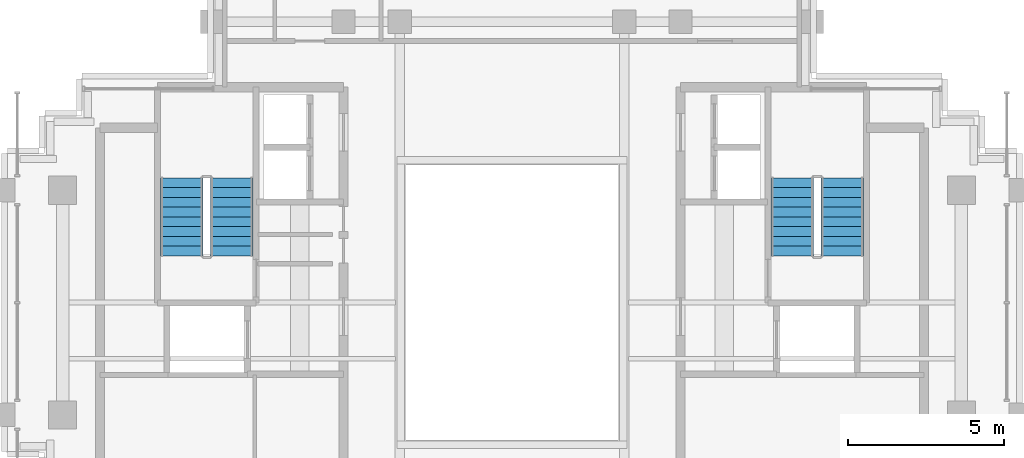
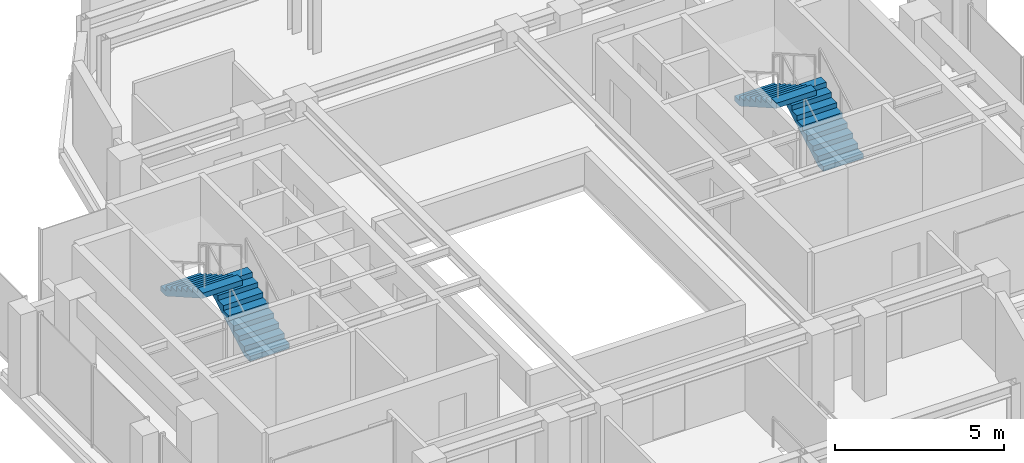
# One storey, part 9 of 11: 4 stair flights, 2 elements without a shape of their own.
"""IFC4 building model written with IfcOpenShell, lengths in metres."""

from ifc_helpers import new_model, si_unit, direction, frame, origin, place, context, subcontext, project, spatial, polyline, outline, extrude, material, type_object, element, aggregate, save


model = new_model("IFC4")

# Units and contexts
model_context = context("Model", 3, precision=1e-05, world=origin(), true_north=direction((0.0, 1.0)))
body_context = subcontext(model_context, "Body", "Model", "MODEL_VIEW")
ifc_project = project(units=[si_unit("LENGTHUNIT", "METRE"), si_unit("AREAUNIT", "SQUARE_METRE"), si_unit("VOLUMEUNIT", "CUBIC_METRE"), si_unit("PLANEANGLEUNIT", "RADIAN"), si_unit("MASSUNIT", "GRAM", prefix="KILO")], contexts=[model_context])

# Site, building, storey
site_placement = place(None, origin())
site = spatial("IfcSite", under=ifc_project, at=site_placement, CompositionType="ELEMENT")
building_placement = place(site_placement, origin())
building = spatial("IfcBuilding", under=site, at=building_placement, Name="Keilestroom Media Tower", CompositionType="ELEMENT")
storey_placement = place(building_placement, frame((0.0, 0.0, 255.60009765625)))
storey = spatial("IfcBuildingStorey", under=building, at=storey_placement, Name="L71", CompositionType="ELEMENT", Elevation=255.60009765625)

# Stair, stair flights
ifc_material_1 = material(Name="Concrete C45/55", Category="concrete")
stair_type = type_object("IfcStairType", Name="Enclosed-Dog-Leg-Stair-ST-CORE", PredefinedType="HALF_TURN_STAIR", material=ifc_material_1)
stair_1_placement = place(storey_placement, origin())
stair_1 = element("IfcStair", 1, at=stair_1_placement, inside=storey, type_object=stair_type, Name="L71 West Core Escape Stair ST-1", PredefinedType="HALF_TURN_STAIR")
ifc_material_2 = material(Name="Precast concrete C40/50", Category="concrete")
stair_flight_type = type_object("IfcStairFlightType", Name="Precast-Concrete-Stair-Flight-Core-160", PredefinedType="STRAIGHT", material=ifc_material_2)
stair_flight_1_placement = place(storey_placement, frame((-8.97998046875, 1.5, 0.0), z_axis=(0.0, 0.0, 1.0), x_axis=(0.0, 1.0, 0.0)))
stair_flight_1 = element("IfcStairFlight", 2, at=stair_flight_1_placement, type_object=stair_flight_type, Name="ST-1 flight 1", NumberOfRisers=9, NumberOfTreads=8, PredefinedType="STRAIGHT", RiserHeight=0.177777778, TreadLength=0.312, context=body_context, shape_type="SweptSolid", body=[
    extrude(outline(polyline([(0.0, 0.0), (0.0, 0.177734375), (0.31201171875, 0.177734375), (0.31201171875, 0.35546875), (0.6240234375, 0.35546875), (0.6240234375, 0.533447265625), (0.93603515625, 0.533447265625), (0.93603515625, 0.711181640625), (1.248046875, 0.711181640625), (1.248046875, 0.888916015625), (1.56005859375, 0.888916015625), (1.56005859375, 1.066650390625), (1.8720703125, 1.066650390625), (1.8720703125, 1.244384765625), (2.18408203125, 1.244384765625), (2.18408203125, 1.422119140625), (2.49609375, 1.422119140625), (2.49609375, 1.60009765625), (2.49609375, 1.23828125), (0.322998046875, 0.0), (0.0, 0.0)])), frame((0.0, 0.68017578125, 0.0), z_axis=(0.0, -1.0, 0.0), x_axis=(1.0, 0.0, 0.0)), (0.0, 0.0, 1.0), 1.360107421875),
])
stair_flight_2_placement = place(storey_placement, frame((-10.580078125, 3.99609375, 1.599853515625), z_axis=(0.0, 0.0, 1.0), x_axis=(0.0, -1.0, 0.0)))
stair_flight_2 = element("IfcStairFlight", 3, at=stair_flight_2_placement, type_object=stair_flight_type, Name="ST-1 flight 2", NumberOfRisers=9, NumberOfTreads=8, PredefinedType="STRAIGHT", RiserHeight=0.177777778, TreadLength=0.312, context=body_context, shape_type="SweptSolid", body=[
    extrude(outline(polyline([(0.0, 0.0), (0.0, 0.177734375), (0.31201171875, 0.177734375), (0.31201171875, 0.35546875), (0.6240234375, 0.35546875), (0.6240234375, 0.533447265625), (0.93603515625, 0.533447265625), (0.93603515625, 0.711181640625), (1.248046875, 0.711181640625), (1.248046875, 0.888916015625), (1.56005859375, 0.888916015625), (1.56005859375, 1.066650390625), (1.8720703125, 1.066650390625), (1.8720703125, 1.244384765625), (2.18408203125, 1.244384765625), (2.18408203125, 1.422119140625), (2.49609375, 1.422119140625), (2.49609375, 1.60009765625), (2.49609375, 1.23828125), (0.322998046875, 0.0), (0.0, 0.0)])), frame((0.0, 0.68017578125, 0.0), z_axis=(0.0, -1.0, 0.0), x_axis=(1.0, 0.0, 0.0)), (0.0, 0.0, 1.0), 1.360107421875),
])
aggregate(stair_1, [stair_flight_1, stair_flight_2])

stair_2_placement = place(storey_placement, origin())
stair_2 = element("IfcStair", 4, at=stair_2_placement, inside=storey, type_object=stair_type, Name="L71 East Core Escape Stair ST-2", PredefinedType="HALF_TURN_STAIR")
stair_flight_3_placement = place(storey_placement, frame((10.580078125, 1.5, 0.0), z_axis=(0.0, 0.0, 1.0), x_axis=(0.0, 1.0, 0.0)))
stair_flight_3 = element("IfcStairFlight", 5, at=stair_flight_3_placement, type_object=stair_flight_type, Name="ST-2 flight 1", NumberOfRisers=9, NumberOfTreads=8, PredefinedType="STRAIGHT", RiserHeight=0.177777778, TreadLength=0.312, context=body_context, shape_type="SweptSolid", body=[
    extrude(outline(polyline([(0.0, 0.0), (0.0, 0.177734375), (0.31201171875, 0.177734375), (0.31201171875, 0.35546875), (0.6240234375, 0.35546875), (0.6240234375, 0.533447265625), (0.93603515625, 0.533447265625), (0.93603515625, 0.711181640625), (1.248046875, 0.711181640625), (1.248046875, 0.888916015625), (1.56005859375, 0.888916015625), (1.56005859375, 1.066650390625), (1.8720703125, 1.066650390625), (1.8720703125, 1.244384765625), (2.18408203125, 1.244384765625), (2.18408203125, 1.422119140625), (2.49609375, 1.422119140625), (2.49609375, 1.60009765625), (2.49609375, 1.23828125), (0.322998046875, 0.0), (0.0, 0.0)])), frame((0.0, 0.68017578125, 0.0), z_axis=(0.0, -1.0, 0.0), x_axis=(1.0, 0.0, 0.0)), (0.0, 0.0, 1.0), 1.360107421875),
])
stair_flight_4_placement = place(storey_placement, frame((8.97998046875, 3.99609375, 1.599853515625), z_axis=(0.0, 0.0, 1.0), x_axis=(0.0, -1.0, 0.0)))
stair_flight_4 = element("IfcStairFlight", 6, at=stair_flight_4_placement, type_object=stair_flight_type, Name="ST-2 flight 2", NumberOfRisers=9, NumberOfTreads=8, PredefinedType="STRAIGHT", RiserHeight=0.177777778, TreadLength=0.312, context=body_context, shape_type="SweptSolid", body=[
    extrude(outline(polyline([(0.0, 0.0), (0.0, 0.177734375), (0.31201171875, 0.177734375), (0.31201171875, 0.35546875), (0.6240234375, 0.35546875), (0.6240234375, 0.533447265625), (0.93603515625, 0.533447265625), (0.93603515625, 0.711181640625), (1.248046875, 0.711181640625), (1.248046875, 0.888916015625), (1.56005859375, 0.888916015625), (1.56005859375, 1.066650390625), (1.8720703125, 1.066650390625), (1.8720703125, 1.244384765625), (2.18408203125, 1.244384765625), (2.18408203125, 1.422119140625), (2.49609375, 1.422119140625), (2.49609375, 1.60009765625), (2.49609375, 1.23828125), (0.322998046875, 0.0), (0.0, 0.0)])), frame((0.0, 0.68017578125, 0.0), z_axis=(0.0, -1.0, 0.0), x_axis=(1.0, 0.0, 0.0)), (0.0, 0.0, 1.0), 1.360107421875),
])
aggregate(stair_2, [stair_flight_3, stair_flight_4])

save(model, "model.ifc")
